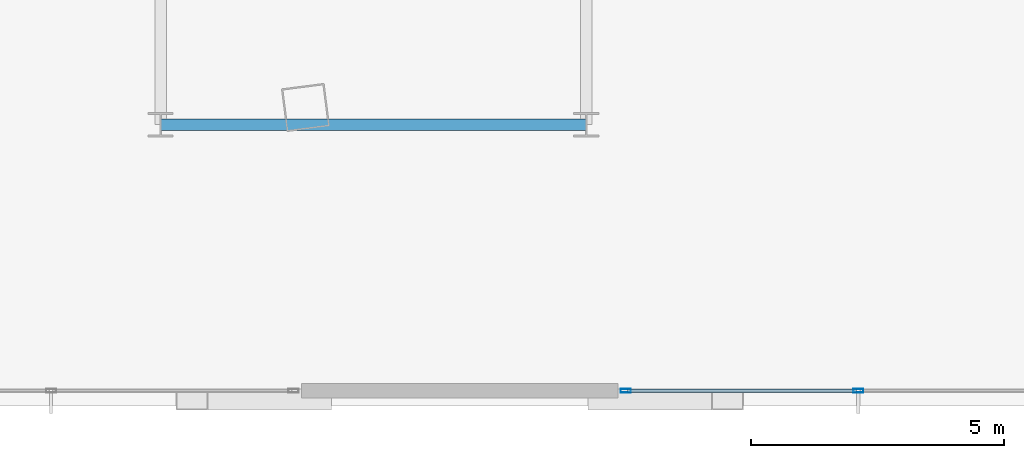
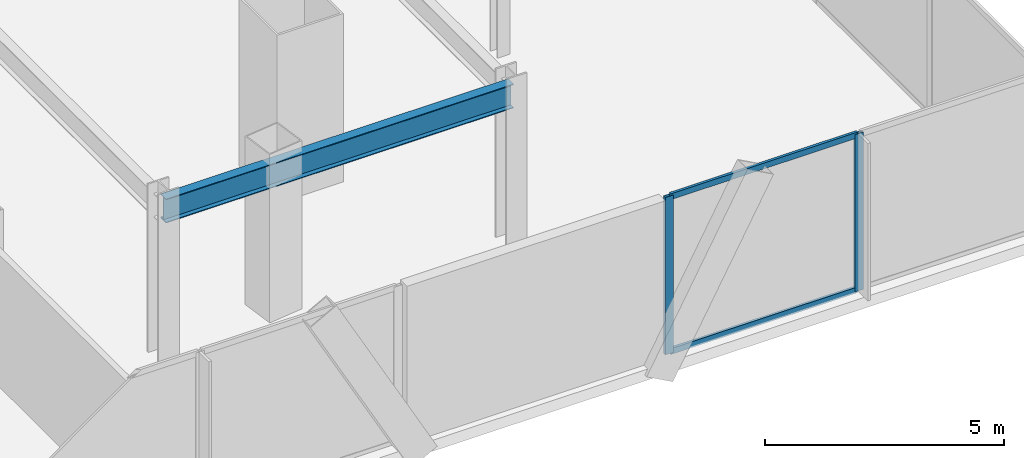
# One storey, part 16 of 42: 4 members, 1 beam, 1 element without a shape of its own.
"""IFC4 building model written with IfcOpenShell, lengths in metres."""

from ifc_helpers import new_model, si_unit, direction, frame, origin, origin_2d, place, context, subcontext, project, spatial, hollow_rectangle, i_section, extrude, material, layer, layer_set, material_profile, profile_set, type_object, element, aggregate, save


model = new_model("IFC4")

# Units and contexts
model_context = context("Model", 3, precision=1e-05, world=origin(), true_north=direction((0.0, 1.0)))
body_context = subcontext(model_context, "Body", "Model", "MODEL_VIEW")
ifc_project = project(units=[si_unit("LENGTHUNIT", "METRE"), si_unit("AREAUNIT", "SQUARE_METRE"), si_unit("VOLUMEUNIT", "CUBIC_METRE"), si_unit("PLANEANGLEUNIT", "RADIAN"), si_unit("MASSUNIT", "GRAM", prefix="KILO")], contexts=[model_context])

# Site, building, storey
site_placement = place(None, origin())
site = spatial("IfcSite", under=ifc_project, at=site_placement, CompositionType="ELEMENT")
building_placement = place(site_placement, origin())
building = spatial("IfcBuilding", under=site, at=building_placement, Name="Orvanel Arch Residences", CompositionType="ELEMENT")
storey_placement = place(building_placement, frame((0.0, 0.0, 5.5)))
storey = spatial("IfcBuildingStorey", under=building, at=storey_placement, Name="L01", CompositionType="ELEMENT", Elevation=5.5)

# Beam
ifc_material_1 = material(Name="Structural steel AS/NZS 3679.1 Grade 300 (300 MPa)", Category="steel")
ifc_material_profile_1 = material_profile(ifc_material_1, i_section(OverallWidth=0.22900390625, OverallDepth=0.612060546875, WebThickness=0.011962890625, FlangeThickness=0.01953125, at=origin_2d()), Name="610UB125")
ifc_profile_set_1 = profile_set([ifc_material_profile_1], Name="Structural steel AS/NZS 3679.1 Grade 300 (300 MPa)")
beam_type = type_object("IfcBeamType", Name="BG-610UB", PredefinedType="BEAM", material=ifc_profile_set_1)
beam_placement = place(storey_placement, frame((46.199951171875, 6.0, 3.714111328125), z_axis=(1.0, 0.0, 0.0), x_axis=(0.0, 1.0, 0.0)))
element("IfcBeam", 1, at=beam_placement, inside=storey, type_object=beam_type, Name="L01 BG-610UB beam", PredefinedType="BEAM", context=body_context, shape_type="SweptSolid", body=[
    extrude(i_section(OverallWidth=0.22900390625, OverallDepth=0.612060546875, WebThickness=0.011962890625, FlangeThickness=0.01953125, at=origin_2d()), origin(), (0.0, 0.0, 1.0), 8.400146484375),
])

# Curtain wall, members
ifc_material_2 = material(Name="Bronze-anodised aluminium AA6063-T6", Category="aluminium")
ifc_layer = layer(ifc_material_2, 0.199951171875)
ifc_layer_set = layer_set([ifc_layer], Name="Bronze-anodised aluminium AA6063-T6")
curtain_wall_type = type_object("IfcCurtainWallType", Name="CW1-POD-SYS", PredefinedType="NOTDEFINED", material=ifc_layer_set)
curtain_wall_placement = place(storey_placement, origin())
curtain_wall = element("IfcCurtainWall", 2, at=curtain_wall_placement, inside=storey, type_object=curtain_wall_type, Name="L01 CW1-POD-SYS Unitised Curtain Wall", PredefinedType="NOTDEFINED")
ifc_material_profile_2 = material_profile(ifc_material_2, hollow_rectangle(XDim=0.074951171875, YDim=0.199951171875, WallThickness=0.0048828125, at=origin_2d()), Name="ALU200x75x5")
ifc_profile_set_2 = profile_set([ifc_material_profile_2], Name="Bronze-anodised aluminium AA6063-T6")
member_type_1 = type_object("IfcMemberType", Name="MUL-200x75", PredefinedType="MULLION", material=ifc_profile_set_2)
member_1_placement = place(storey_placement, frame((55.37744140625, 0.75, 0.0), z_axis=(0.0, 0.0, 1.0), x_axis=(0.0, 1.0, 0.0)))
member_1 = element("IfcMember", 3, at=member_1_placement, type_object=member_type_1, Name="CW-S1 mullion 1", PredefinedType="MULLION", context=body_context, shape_type="SweptSolid", body=[
    extrude(hollow_rectangle(XDim=0.074951171875, YDim=0.199951171875, WallThickness=0.0048828125, at=origin_2d()), origin(), (0.0, 0.0, 1.0), 4.02001953125),
])
member_2_placement = place(storey_placement, frame((59.965087890625, 0.75, 0.0), z_axis=(0.0, 0.0, 1.0), x_axis=(0.0, 1.0, 0.0)))
member_2 = element("IfcMember", 4, at=member_2_placement, type_object=member_type_1, Name="CW-S1 mullion 2", PredefinedType="MULLION", context=body_context, shape_type="SweptSolid", body=[
    extrude(hollow_rectangle(XDim=0.074951171875, YDim=0.199951171875, WallThickness=0.0048828125, at=origin_2d()), origin(), (0.0, 0.0, 1.0), 4.02001953125),
])
ifc_material_profile_3 = material_profile(ifc_material_2, hollow_rectangle(XDim=0.06494140625, YDim=0.14990234375, WallThickness=0.00390625, at=origin_2d()), Name="ALU150x65x4")
ifc_profile_set_3 = profile_set([ifc_material_profile_3], Name="Bronze-anodised aluminium AA6063-T6")
member_type_2 = type_object("IfcMemberType", Name="TRN-150x65", PredefinedType="USERDEFINED", material=ifc_profile_set_3)
member_3_placement = place(storey_placement, frame((55.4150390625, 0.75, 0.032470703125), z_axis=(1.0, 0.0, 0.0), x_axis=(0.0, 1.0, 0.0)))
member_3 = element("IfcMember", 5, at=member_3_placement, type_object=member_type_2, Name="CW-S1 transom 1.1", ObjectType="TRANSOM", PredefinedType="USERDEFINED", context=body_context, shape_type="SweptSolid", body=[
    extrude(hollow_rectangle(XDim=0.06494140625, YDim=0.14990234375, WallThickness=0.00390625, at=origin_2d()), origin(), (0.0, 0.0, 1.0), 4.512451171875),
])
member_4_placement = place(storey_placement, frame((55.4150390625, 0.75, 3.987548828125), z_axis=(1.0, 0.0, 0.0), x_axis=(0.0, 1.0, 0.0)))
member_4 = element("IfcMember", 6, at=member_4_placement, type_object=member_type_2, Name="CW-S1 transom 1.2", ObjectType="TRANSOM", PredefinedType="USERDEFINED", context=body_context, shape_type="SweptSolid", body=[
    extrude(hollow_rectangle(XDim=0.06494140625, YDim=0.14990234375, WallThickness=0.00390625, at=origin_2d()), origin(), (0.0, 0.0, 1.0), 4.512451171875),
])
aggregate(curtain_wall, [member_1, member_2, member_3, member_4])

save(model, "model.ifc")
